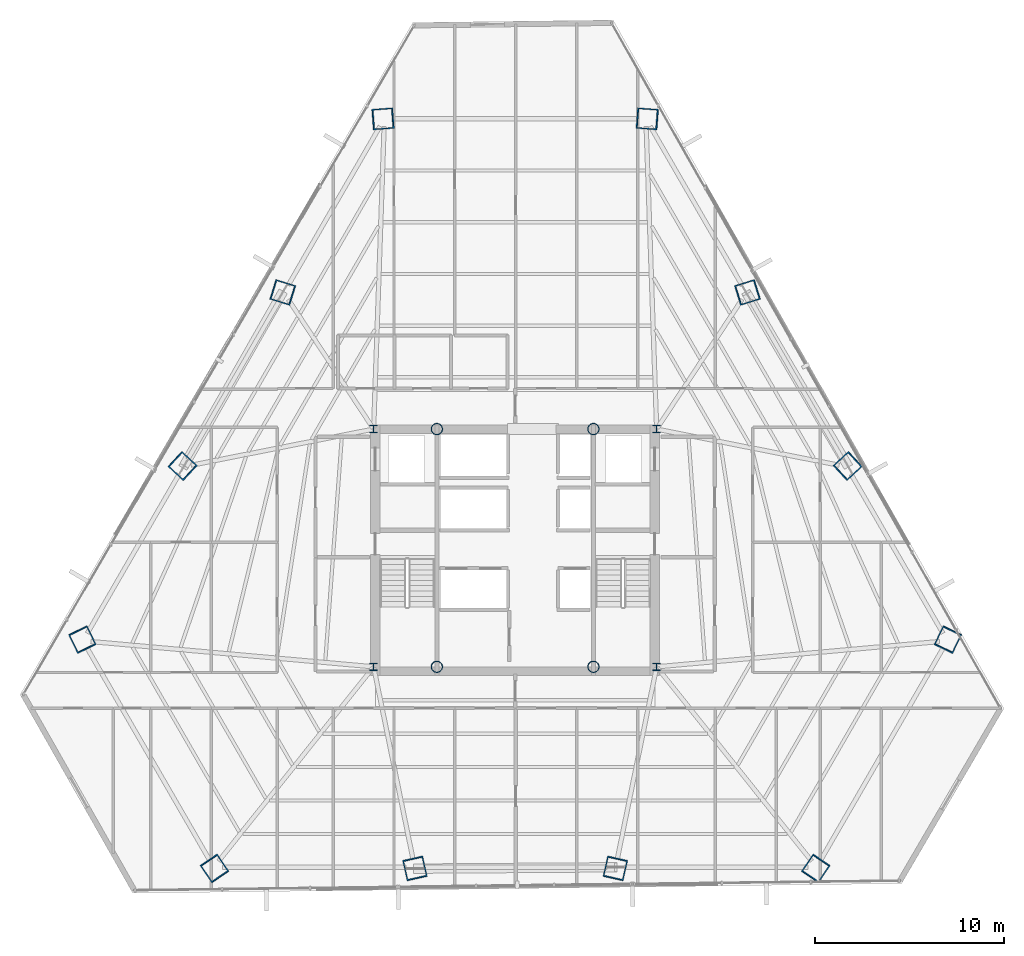
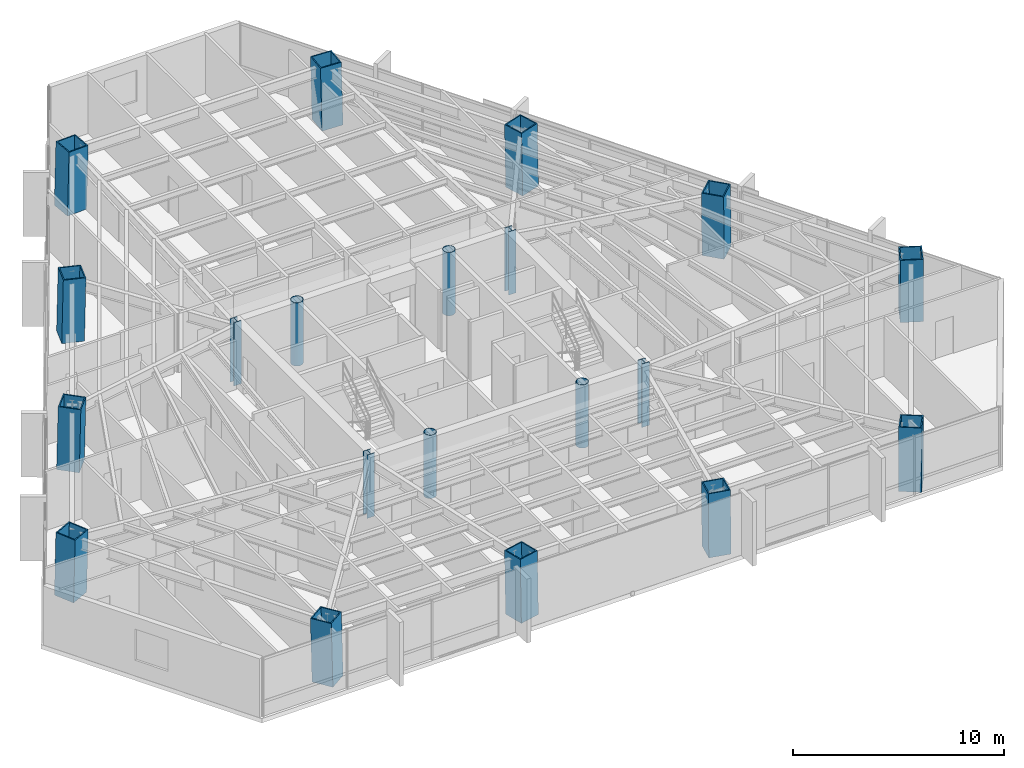
# One storey, part 1 of 35: 20 columns.
"""IFC4 building model written with IfcOpenShell, lengths in metres."""

import ifcopenshell
import ifcopenshell.guid

model = None  # the IFC model being written
_history = None  # IfcOwnerHistory: only IFC2X3 demands one
_inside = {}  # id of a spatial element -> (the spatial element, [elements in it])
_under = {}  # id of a project, library or spatial element -> (it, [spatial elements below it])
_declared = {}  # id of a project -> (the project, [libraries it declares])
_typed = {}  # id of a type object -> (the type object, [elements of that type])
_made_of = {}  # id of a material, layer set ... -> (it, [elements and type objects made of it])


def new_model(schema):
    """Start an empty IFC model of exactly this schema.

    Asked for "IFC4X3", IfcOpenShell would pick the latest addendum, in which some entities
    have other attributes; the version numbers below select the first issue.
    IFC2X3 requires an IfcOwnerHistory on every rooted entity: one is made here for all.
    """
    global model, _history
    if schema == "IFC4X3":
        model = ifcopenshell.file(schema_version=(4, 3, 0, 0))
    else:
        model = ifcopenshell.file(schema=schema)
    _inside.clear()
    _under.clear()
    _declared.clear()
    _typed.clear()
    _made_of.clear()
    _history = None
    if model.schema == "IFC2X3":
        org = make("IfcOrganization", Name="unknown")
        user = make(
            "IfcPersonAndOrganization",
            ThePerson=make("IfcPerson", FamilyName="unknown"),
            TheOrganization=org,
        )
        app = make(
            "IfcApplication",
            ApplicationDeveloper=org,
            Version="unknown",
            ApplicationFullName="unknown",
            ApplicationIdentifier="unknown",
        )
        _history = make(
            "IfcOwnerHistory",
            OwningUser=user,
            OwningApplication=app,
            ChangeAction="ADDED",
            CreationDate=0,
        )
    return model


def make(cls, **values):
    """One entity of the class cls with the attributes given. An attribute that is None is left unset."""
    return model.create_entity(
        cls, **{name: value for name, value in values.items() if value is not None}
    )


def rooted(cls, **values):
    """An entity with a GlobalId (a new one), such as an element, a storey or a relation."""
    return make(cls, GlobalId=ifcopenshell.guid.new(), OwnerHistory=_history, **values)


def si_unit(unit_type, name, prefix=None):
    """IfcSIUnit, for example si_unit("LENGTHUNIT", "METRE", prefix="MILLI")."""
    return make("IfcSIUnit", UnitType=unit_type, Prefix=prefix, Name=name)


def assignment(units):
    """IfcUnitAssignment: the units of a project."""
    return None if units is None else make("IfcUnitAssignment", Units=units)


def point(xyz):
    """IfcCartesianPoint."""
    return None if xyz is None else make("IfcCartesianPoint", Coordinates=xyz)


def direction(xyz):
    """IfcDirection."""
    return None if xyz is None else make("IfcDirection", DirectionRatios=xyz)


def frame(location, z_axis=None, x_axis=None):
    """IfcAxis2Placement3D, a coordinate frame: its origin and axes. An axis left out is left unset."""
    return make(
        "IfcAxis2Placement3D",
        Location=point(location),
        Axis=direction(z_axis),
        RefDirection=direction(x_axis),
    )


def frame_2d(location, x_axis=None):
    """IfcAxis2Placement2D, a coordinate frame in the plane: its origin and x axis."""
    return make(
        "IfcAxis2Placement2D", Location=point(location), RefDirection=direction(x_axis)
    )


def origin():
    """The frame at (0, 0, 0) with its axes left unset."""
    return frame((0.0, 0.0, 0.0))


def origin_2d():
    """The frame at (0, 0) in the plane with its x axis left unset."""
    return frame_2d((0.0, 0.0))


def place(relative_to, where):
    """IfcLocalPlacement: puts the frame where relative to a parent placement (None: the world)."""
    return make(
        "IfcLocalPlacement", PlacementRelTo=relative_to, RelativePlacement=where
    )


def context(
    kind, dimensions, precision=None, world=None, true_north=None, identifier=None
):
    """IfcGeometricRepresentationContext, for example the 3D "Model" context."""
    return make(
        "IfcGeometricRepresentationContext",
        ContextIdentifier=identifier,
        ContextType=kind,
        CoordinateSpaceDimension=dimensions,
        Precision=precision,
        WorldCoordinateSystem=world,
        TrueNorth=true_north,
    )


def subcontext(parent, identifier, kind, view, scale=None):
    """IfcGeometricRepresentationSubContext, for example "Body" below "Model"."""
    return make(
        "IfcGeometricRepresentationSubContext",
        ContextIdentifier=identifier,
        ContextType=kind,
        ParentContext=parent,
        TargetScale=scale,
        TargetView=view,
    )


def project(units=None, contexts=None):
    """IfcProject with its units and contexts."""
    return rooted(
        "IfcProject",
        Name="project",
        RepresentationContexts=contexts,
        UnitsInContext=assignment(units),
    )


def spatial(cls, under=None, at=None, **own):
    """A site, building, storey or space (cls), placed at a placement, below another one or the project."""
    s = rooted(cls, ObjectPlacement=at, **own)
    if under is not None:
        _under.setdefault(under.id(), (under, []))[1].append(s)
    return s


def profile(cls, at=None, kind="AREA", **sizes):
    """A parametric profile (cls). Its sizes go by their IFC names, for example OverallWidth=200.0."""
    return make(cls, ProfileType=kind, Position=at, **sizes)


def hollow_rectangle(**sizes):
    """IfcRectangleHollowProfileDef."""
    return profile("IfcRectangleHollowProfileDef", **sizes)


def hollow_circle(**sizes):
    """IfcCircleHollowProfileDef."""
    return profile("IfcCircleHollowProfileDef", **sizes)


def i_section(**sizes):
    """IfcIShapeProfileDef."""
    return profile("IfcIShapeProfileDef", **sizes)


def extrude(swept, where, along, depth):
    """IfcExtrudedAreaSolid: the profile swept, set in the frame where, extruded along a direction by depth."""
    return make(
        "IfcExtrudedAreaSolid",
        SweptArea=swept,
        Position=where,
        ExtrudedDirection=direction(along),
        Depth=depth,
    )


def shape(context_of_items, identifier, shape_type, items):
    """IfcShapeRepresentation: the items that make up one representation, for example the "Body"."""
    return make(
        "IfcShapeRepresentation",
        ContextOfItems=context_of_items,
        RepresentationIdentifier=identifier,
        RepresentationType=shape_type,
        Items=items,
    )


def source(mapping_origin, context_of_items, identifier, shape_type, items):
    """IfcRepresentationMap: a shape defined once, which mapped items show again and again."""
    return make(
        "IfcRepresentationMap",
        MappingOrigin=mapping_origin,
        MappedRepresentation=shape(context_of_items, identifier, shape_type, items),
    )


def transform(
    local_origin,
    x_axis=None,
    y_axis=None,
    z_axis=None,
    scale=None,
    scale2=None,
    scale3=None,
    uniform=True,
):
    """IfcCartesianTransformationOperator3D, or its non-uniform kind. x_axis, y_axis, z_axis: its Axis1, 2, 3."""
    if uniform:
        return make(
            "IfcCartesianTransformationOperator3D",
            Axis1=direction(x_axis),
            Axis2=direction(y_axis),
            LocalOrigin=point(local_origin),
            Scale=scale,
            Axis3=direction(z_axis),
        )
    return make(
        "IfcCartesianTransformationOperator3DnonUniform",
        Axis1=direction(x_axis),
        Axis2=direction(y_axis),
        LocalOrigin=point(local_origin),
        Scale=scale,
        Axis3=direction(z_axis),
        Scale2=scale2,
        Scale3=scale3,
    )


def mapped(mapping_source, mapping_target):
    """IfcMappedItem: shows the shape of a source again, moved by a transform."""
    return make(
        "IfcMappedItem", MappingSource=mapping_source, MappingTarget=mapping_target
    )


def material(Name=None, Category=None):
    """IfcMaterial."""
    return make("IfcMaterial", Name=Name, Category=Category)


def material_profile(
    of_material, cross_section, Name=None, Category=None, Priority=None
):
    """IfcMaterialProfile: a cross section and its material."""
    return make(
        "IfcMaterialProfile",
        Name=Name,
        Material=of_material,
        Profile=cross_section,
        Priority=Priority,
        Category=Category,
    )


def profile_set(profiles, Name=None, composite=None):
    """IfcMaterialProfileSet."""
    return make(
        "IfcMaterialProfileSet",
        Name=Name,
        MaterialProfiles=profiles,
        CompositeProfile=composite,
    )


def made_of(thing, what):
    """Note that an element or type object is made of a material, layer set ...; save() writes the relation."""
    if what is not None:
        _made_of.setdefault(what.id(), (what, []))[1].append(thing)
    return thing


def type_object(cls, material=None, **own):
    """A type object (cls), such as IfcWallType, which elements share."""
    return made_of(rooted(cls, **own), material)


def type_shapes(of_type, sources):
    """Give a type object the sources (RepresentationMaps) that its elements show as mapped items."""
    of_type.RepresentationMaps = sources


def element(
    cls,
    number,
    at=None,
    inside=None,
    cuts=None,
    type_object=None,
    material=None,
    context=None,
    identifier="Body",
    shape_type=None,
    held_by="IfcProductDefinitionShape",
    body=None,
    shapes=None,
    **own,
):
    """One element of the class cls, such as IfcWall. Its Tag is "e" and its number.

    at: its placement. inside: the storey or other place that contains it. cuts: it is an
    opening in that element (IfcRelVoidsElement). A single representation is given by context,
    identifier, shape_type and body (its items); several are given by shapes. held_by: the class
    of the entity that holds the representations. save() writes the other relations.
    """
    e = rooted(cls, Tag="e%d" % number, ObjectPlacement=at, **own)
    if body is not None:
        shapes = [shape(context, identifier, shape_type, body)]
    if shapes is not None:
        e.Representation = make(held_by, Representations=shapes)
    if inside is not None:
        _inside.setdefault(inside.id(), (inside, []))[1].append(e)
    if cuts is not None:
        rooted(
            "IfcRelVoidsElement", RelatingBuildingElement=cuts, RelatedOpeningElement=e
        )
    if type_object is not None:
        _typed.setdefault(type_object.id(), (type_object, []))[1].append(e)
    return made_of(e, material)


def aggregate(whole, parts):
    """IfcRelAggregates: a whole, such as a stair, and the parts it consists of."""
    return rooted("IfcRelAggregates", RelatingObject=whole, RelatedObjects=parts)


def save(model, path):
    """Write the relations noted so far, then the file.

    IfcRelAggregates (storeys below a building ...), IfcRelContainedInSpatialStructure (elements
    in a storey), IfcRelDefinesByType, IfcRelAssociatesMaterial and IfcRelDeclares: one each for
    every whole, place, type object, material and project.
    """
    for whole, parts in _under.values():
        aggregate(whole, parts)
    for where, things in _inside.values():
        rooted(
            "IfcRelContainedInSpatialStructure",
            RelatedElements=things,
            RelatingStructure=where,
        )
    for kind, things in _typed.values():
        rooted("IfcRelDefinesByType", RelatedObjects=things, RelatingType=kind)
    for what, things in _made_of.values():
        rooted("IfcRelAssociatesMaterial", RelatedObjects=things, RelatingMaterial=what)
    for by, libraries in _declared.values():
        rooted("IfcRelDeclares", RelatingContext=by, RelatedDefinitions=libraries)
    model.write(path)


model = new_model("IFC4")

# Units and contexts
model_context = context("Model", 3, precision=1e-05, world=origin(), true_north=direction((0.0, 1.0)))
body_context = subcontext(model_context, "Body", "Model", "MODEL_VIEW")
ifc_project = project(units=[si_unit("LENGTHUNIT", "METRE"), si_unit("AREAUNIT", "SQUARE_METRE"), si_unit("VOLUMEUNIT", "CUBIC_METRE"), si_unit("PLANEANGLEUNIT", "RADIAN"), si_unit("MASSUNIT", "GRAM", prefix="KILO")], contexts=[model_context])

# Site, building, storey
site_placement = place(None, origin())
site = spatial("IfcSite", under=ifc_project, at=site_placement, CompositionType="ELEMENT")
building_placement = place(site_placement, origin())
building = spatial("IfcBuilding", under=site, at=building_placement, Name="Caelisora Broadcast Tower", CompositionType="ELEMENT")
storey_placement = place(building_placement, frame((0.0, 0.0, 123.64990234375)))
storey = spatial("IfcBuildingStorey", under=building, at=storey_placement, Name="L32", CompositionType="ELEMENT", Elevation=123.64990234375)

# Columns
ifc_material_1 = material(Name="Steel Grade 350 L15 (AS/NZS 3678)", Category="steel")
ifc_material_profile_1 = material_profile(ifc_material_1, hollow_rectangle(XDim=1.10009765625, YDim=1.10009765625, WallThickness=0.06005859375, at=origin_2d()), Name="Steel Grade 350 L15 (AS/NZS 3678)")
ifc_profile_set_1 = profile_set([ifc_material_profile_1], Name="Steel Grade 350 L15 (AS/NZS 3678)")
column_type_1 = type_object("IfcColumnType", Name="MC03", PredefinedType="COLUMN", material=ifc_profile_set_1)
shared_shape_1 = source(origin(), body_context, "Body", "SweptSolid", [
    extrude(hollow_rectangle(XDim=1.10009765625, YDim=1.10009765625, WallThickness=0.06005859375, at=origin_2d()), origin(), (0.0, 0.0, 1.0), 3.65087890625),
])
for number, where, z_axis, x_axis, name in (
    (1, (25.67431640625, 37.24609375, 0.0), (0.01939269685, -0.00601842316, 0.999793829693), (0.296399214872, 0.955064136811, 0.0), "L32 column MC03"),
    (2, (20.365478515625, 28.05126953125, 0.0), (0.014912316331, -0.013775502979, 0.999793907933), (0.678553674548, 0.734550822447, 0.0), "L32 column MC03"),
    (3, (32.69140625, 6.702392578125, 0.0), (-0.004480376697, 0.019860774315, 0.999792716451), (-0.975486508487, -0.220059246022, 0.0), "L32 column MC03"),
    (4, (43.30859375, 6.702392578125, 0.0), (0.004480376697, 0.019860774315, 0.999792716451), (-0.975486508487, 0.220059246022, 0.0), "L32 column MC03"),
    (5, (55.634521484375, 28.05126953125, 0.0), (-0.014912316331, -0.013775502979, 0.999793907933), (0.678553674548, -0.734550822447, 0.0), "L32 column MC03"),
    (6, (50.32568359375, 37.24609375, 0.0), (-0.01939269685, -0.00601842316, 0.999793829693), (0.296399214872, -0.955064136811, 0.0), "L32 column MC03"),
):
    element("IfcColumn", number, at=place(storey_placement, frame(where, z_axis=z_axis, x_axis=x_axis)), inside=storey, type_object=column_type_1, Name=name, PredefinedType="COLUMN", context=body_context, shape_type="MappedRepresentation", body=[
        mapped(shared_shape_1, transform((0.0, 0.0, 0.0), scale=1.0)),
    ])
ifc_material_2 = material(Name="Steel Grade 350 (AS/NZS 3679.2)", Category="steel")
ifc_material_profile_2 = material_profile(ifc_material_2, i_section(OverallWidth=0.39990234375, OverallDepth=0.39990234375, WebThickness=0.02001953125, FlangeThickness=0.031982421875, at=origin_2d()), Name="Steel Grade 350 (AS/NZS 3679.2)")
ifc_profile_set_2 = profile_set([ifc_material_profile_2], Name="Steel Grade 350 (AS/NZS 3679.2)")
column_type_2 = type_object("IfcColumnType", Name="CC02", PredefinedType="COLUMN", material=ifc_profile_set_2)
shared_shape_2 = source(origin(), body_context, "Body", "SweptSolid", [
    extrude(i_section(OverallWidth=0.39990234375, OverallDepth=0.39990234375, WebThickness=0.02001953125, FlangeThickness=0.031982421875, at=origin_2d()), origin(), (0.0, 0.0, 1.0), 3.650146484375),
])
type_shapes(column_type_2, [shared_shape_2])
for number, where, z_axis, x_axis, name in (
    (7, (30.5, 17.39990234375, 0.0), (0.0, 0.0, 1.0), (1.0, 0.0, 0.0), "L32 column CC02"),
    (8, (45.5, 17.39990234375, 0.0), (0.0, 0.0, 1.0), (1.0, 0.0, 0.0), "L32 column CC02"),
    (9, (45.5, 30.0, 0.0), (0.0, 0.0, 1.0), (1.0, 0.0, 0.0), "L32 column CC02"),
    (10, (30.5, 30.0, 0.0), (0.0, 0.0, 1.0), (1.0, 0.0, 0.0), "L32 column CC02"),
):
    element("IfcColumn", number, at=place(storey_placement, frame(where, z_axis=z_axis, x_axis=x_axis)), inside=storey, type_object=column_type_2, Name=name, PredefinedType="COLUMN", context=body_context, shape_type="MappedRepresentation", body=[
        mapped(shared_shape_2, transform((0.0, 0.0, 0.0), scale=1.0)),
    ])
shared_shape_3 = source(origin(), body_context, "Body", "SweptSolid", [
    extrude(hollow_rectangle(XDim=1.10009765625, YDim=1.10009765625, WallThickness=0.06005859375, at=origin_2d()), origin(), (0.0, 0.0, 1.0), 3.651123046875),
])
type_shapes(column_type_1, [shared_shape_1, shared_shape_3])
for number, where, z_axis, x_axis, name in (
    (11, (45.01708984375, 46.44091796875, 0.0), (-0.02387115835, 0.001805381724, 0.999713413132), (-0.075414875552, -0.997152243414, 0.0), "L32 column MC03"),
    (12, (30.98291015625, 46.44091796875, 0.0), (0.02387115835, 0.001805381724, 0.999713413132), (-0.075414875552, 0.997152243414, 0.0), "L32 column MC03"),
    (13, (15.056884765625, 18.8564453125, 0.0), (0.010431083049, -0.021597691184, 0.999712324742), (0.900476348161, 0.434904985489, 0.0), "L32 column MC03"),
    (14, (22.073974609375, 6.702392578125, 0.0), (-0.013440050965, 0.019859179784, 0.999712447661), (-0.828169210203, -0.560478152359, 0.0), "L32 column MC03"),
    (15, (53.926025390625, 6.702392578125, 0.0), (0.013440050965, 0.019859179784, 0.999712447661), (-0.828169210203, 0.560478152359, 0.0), "L32 column MC03"),
    (16, (60.943115234375, 18.8564453125, 0.0), (-0.010431083049, -0.021597691184, 0.999712324742), (0.900476348161, -0.434904985489, 0.0), "L32 column MC03"),
):
    element("IfcColumn", number, at=place(storey_placement, frame(where, z_axis=z_axis, x_axis=x_axis)), inside=storey, type_object=column_type_1, Name=name, PredefinedType="COLUMN", context=body_context, shape_type="MappedRepresentation", body=[
        mapped(shared_shape_3, transform((0.0, 0.0, 0.0), scale=1.0)),
    ])
ifc_material_profile_3 = material_profile(ifc_material_1, hollow_circle(Radius=0.304931640625, WallThickness=0.02490234375, at=origin_2d()), Name="Steel Grade 350 L15 (AS/NZS 3678)")
ifc_profile_set_3 = profile_set([ifc_material_profile_3], Name="Steel Grade 350 L15 (AS/NZS 3678)")
column_type_3 = type_object("IfcColumnType", Name="CC06", PredefinedType="COLUMN", material=ifc_profile_set_3)
shared_shape_4 = source(origin(), body_context, "Body", "SweptSolid", [
    extrude(hollow_circle(Radius=0.304931640625, WallThickness=0.02490234375, at=origin_2d()), origin(), (0.0, 0.0, 1.0), 3.650146484375),
])
type_shapes(column_type_3, [shared_shape_4])
for number, where, z_axis, x_axis, name in (
    (17, (33.85009765625, 17.39990234375, 0.0), (0.0, 0.0, 1.0), (1.0, 0.0, 0.0), "L32 column CC06"),
    (18, (42.14990234375, 17.39990234375, 0.0), (0.0, 0.0, 1.0), (1.0, 0.0, 0.0), "L32 column CC06"),
    (19, (33.85009765625, 30.0, 0.0), (0.0, 0.0, 1.0), (1.0, 0.0, 0.0), "L32 column CC06"),
    (20, (42.14990234375, 30.0, 0.0), (0.0, 0.0, 1.0), (1.0, 0.0, 0.0), "L32 column CC06"),
):
    element("IfcColumn", number, at=place(storey_placement, frame(where, z_axis=z_axis, x_axis=x_axis)), inside=storey, type_object=column_type_3, Name=name, PredefinedType="COLUMN", context=body_context, shape_type="MappedRepresentation", body=[
        mapped(shared_shape_4, transform((0.0, 0.0, 0.0), scale=1.0)),
    ])

save(model, "model.ifc")
